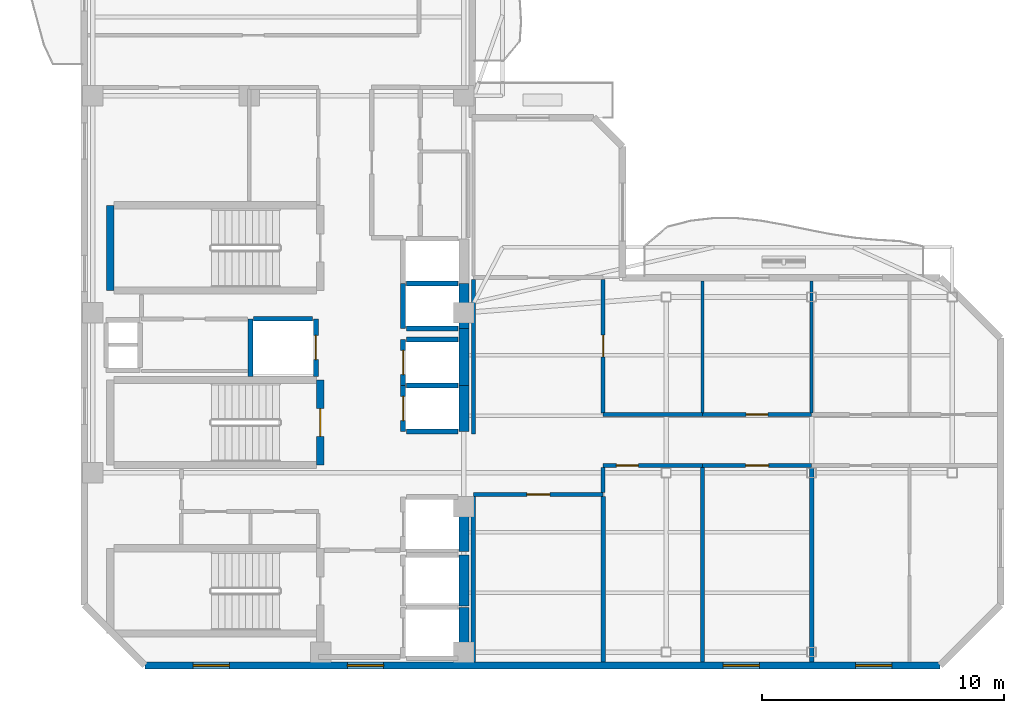
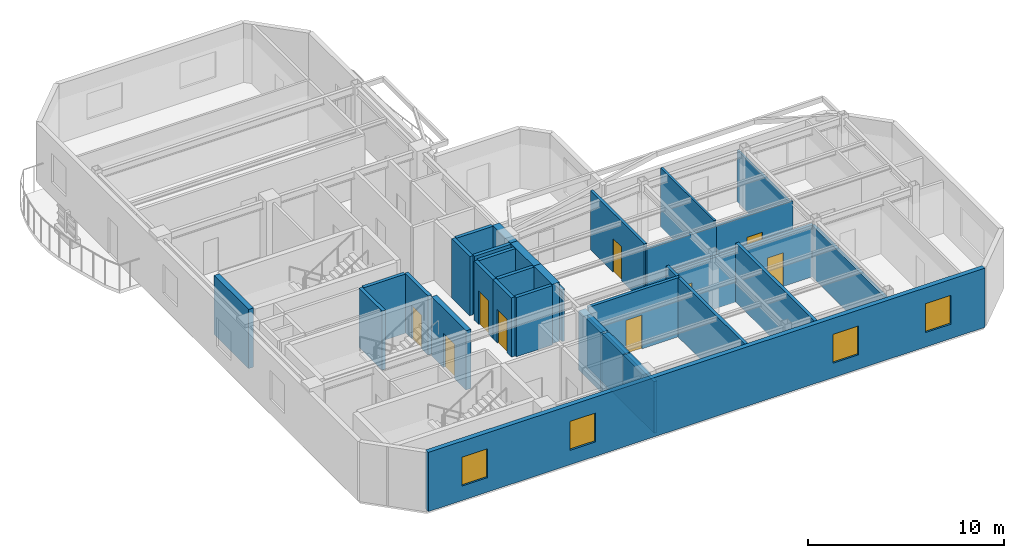
# One storey, part 3 of 8: 34 walls, 9 doors, 4 windows, 13 openings.
"""IFC4 building model written with IfcOpenShell, lengths in metres."""

from ifc_helpers import new_model, si_unit, direction, frame, frame_2d, origin, place, context, subcontext, project, spatial, rectangle, extrude, material, layer, layer_set, type_object, element, fill, save


model = new_model("IFC4")

# Units and contexts
model_context = context("Model", 3, precision=1e-05, world=origin(), true_north=direction((0.0, 1.0)))
body_context = subcontext(model_context, "Body", "Model", "MODEL_VIEW")
ifc_project = project(units=[si_unit("LENGTHUNIT", "METRE"), si_unit("AREAUNIT", "SQUARE_METRE"), si_unit("VOLUMEUNIT", "CUBIC_METRE"), si_unit("PLANEANGLEUNIT", "RADIAN"), si_unit("MASSUNIT", "GRAM", prefix="KILO")], contexts=[model_context])

# Site, building, storey
site_placement = place(None, origin())
site = spatial("IfcSite", under=ifc_project, at=site_placement, CompositionType="ELEMENT")
building_placement = place(site_placement, origin())
building = spatial("IfcBuilding", under=site, at=building_placement, Name="Mawjaban Terraces University", CompositionType="ELEMENT")
storey_placement = place(building_placement, frame((0.0, 0.0, 267.699951171875)))
storey = spatial("IfcBuildingStorey", under=building, at=storey_placement, Name="L65", CompositionType="ELEMENT", Elevation=267.699951171875)

# Wall, opening, door
ifc_material_1 = material(Name="Acoustic masonry blockwork", Category="masonry")
ifc_layer_1 = layer(ifc_material_1, 0.179931640625)
ifc_layer_set_1 = layer_set([ifc_layer_1], Name="Acoustic masonry blockwork")
wall_type_1 = type_object("IfcWallType", Name="AcousticStudioWall_180", PredefinedType="PARTITIONING", material=ifc_layer_set_1)
wall_1_placement = place(storey_placement, frame((38.050048828125, 7.050048828125, 0.0), z_axis=(0.0, 0.0, 1.0), x_axis=(1.0, 0.0, 0.0)))
wall_1 = element("IfcWall", 1, at=wall_1_placement, inside=storey, type_object=wall_type_1, Name="L65 Upper Research Hub Concourse Partition 15", PredefinedType="PARTITIONING", context=body_context, shape_type="SweptSolid", body=[
    extrude(rectangle(XDim=5.349853515625, YDim=0.179931640625, at=frame_2d((2.6748046875, 0.0))), origin(), (0.0, 0.0, 1.0), 3.68994140625),
])
opening_1_placement = place(wall_1_placement, frame((2.199951171875, 0.0, 0.0)))
opening_1 = element("IfcOpeningElement", 2, at=opening_1_placement, cuts=wall_1, Name="Opening ID-095", PredefinedType="OPENING", context=body_context, shape_type="SweptSolid", body=[
    extrude(rectangle(XDim=0.949951171875, YDim=2.10009765625, at=frame_2d((0.47509765625, 1.050048828125))), frame((0.0, 0.099853515625, 0.0), z_axis=(0.0, -1.0, 0.0), x_axis=(1.0, 0.0, 0.0)), (0.0, 0.0, 1.0), 0.199951171875),
])
ifc_material_2 = material(Name="Powder-coated steel frame and solid acoustic timber leaf", Category="steel")
door_type_1 = type_object("IfcDoorType", Name="StudioDoor_950x2100", OperationType="NOTDEFINED", PredefinedType="DOOR", material=ifc_material_2)
door_1_placement = place(opening_1_placement, origin())
door_1 = element("IfcDoor", 3, at=door_1_placement, inside=storey, type_object=door_type_1, Name="L65 Media Workshop 1 Door", OperationType="SINGLE_SWING_RIGHT", OverallHeight=2.10009765625, OverallWidth=0.949951171875, PredefinedType="DOOR", context=body_context, shape_type="SweptSolid", body=[
    extrude(rectangle(XDim=0.949951171875, YDim=2.10009765625, at=frame_2d((0.47509765625, 1.050048828125))), frame((0.0, 0.02490234375, 0.0), z_axis=(0.0, -1.0, 0.0), x_axis=(1.0, 0.0, 0.0)), (0.0, 0.0, 1.0), 0.050048828125),
])
fill(opening_1, door_1)

wall_2_placement = place(storey_placement, frame((47.5, 8.25, 0.0), z_axis=(0.0, 0.0, 1.0), x_axis=(1.0, 0.0, 0.0)))
wall_2 = element("IfcWall", 4, at=wall_2_placement, inside=storey, type_object=wall_type_1, Name="L65 Upper East Research Corridor Partition 18", PredefinedType="PARTITIONING", context=body_context, shape_type="SweptSolid", body=[
    extrude(rectangle(XDim=4.5, YDim=0.179931640625, at=frame_2d((2.25, 0.0))), origin(), (0.0, 0.0, 1.0), 3.22705078125),
])
opening_2_placement = place(wall_2_placement, frame((1.77490234375, 0.0, 0.0)))
opening_2 = element("IfcOpeningElement", 5, at=opening_2_placement, cuts=wall_2, Name="Opening ID-095", PredefinedType="OPENING", context=body_context, shape_type="SweptSolid", body=[
    extrude(rectangle(XDim=0.949951171875, YDim=2.10009765625, at=frame_2d((0.47509765625, 1.050048828125))), frame((0.0, 0.099853515625, 0.0), z_axis=(0.0, -1.0, 0.0), x_axis=(1.0, 0.0, 0.0)), (0.0, 0.0, 1.0), 0.199951171875),
])
door_2_placement = place(opening_2_placement, origin())
door_2 = element("IfcDoor", 6, at=door_2_placement, inside=storey, type_object=door_type_1, Name="L65 Media Workshop 4 Door", OperationType="SINGLE_SWING_LEFT", OverallHeight=2.10009765625, OverallWidth=0.949951171875, PredefinedType="DOOR", context=body_context, shape_type="SweptSolid", body=[
    extrude(rectangle(XDim=0.949951171875, YDim=2.10009765625, at=frame_2d((0.47509765625, 1.050048828125))), frame((0.0, 0.02490234375, 0.0), z_axis=(0.0, -1.0, 0.0), x_axis=(1.0, 0.0, 0.0)), (0.0, 0.0, 1.0), 0.050048828125),
])
fill(opening_2, door_2)

# Walls
wall_3_placement = place(storey_placement, frame((38.050048828125, 6.965087890625, 0.0), z_axis=(0.0, 0.0, 1.0), x_axis=(0.0, -1.0, 0.0)))
element("IfcWall", 7, at=wall_3_placement, inside=storey, type_object=wall_type_1, Name="L65 Media Workshop 1 Partition 38", PredefinedType="PARTITIONING", context=body_context, shape_type="SweptSolid", body=[
    extrude(rectangle(XDim=6.83203125, YDim=0.179931640625, at=frame_2d((3.416015625, 0.0))), origin(), (0.0, 0.0, 1.0), 3.22705078125),
])
wall_4_placement = place(storey_placement, frame((43.39990234375, 0.133056640625, 0.0), z_axis=(0.0, 0.0, 1.0), x_axis=(0.0, 1.0, 0.0)))
element("IfcWall", 8, at=wall_4_placement, inside=storey, type_object=wall_type_1, Name="L65 Media Workshop 1 Partition 41", PredefinedType="PARTITIONING", context=body_context, shape_type="SweptSolid", body=[
    extrude(rectangle(XDim=6.83203125, YDim=0.179931640625, at=frame_2d((3.416015625, 0.0))), origin(), (0.0, 0.0, 1.0), 3.68994140625),
])
wall_5_placement = place(storey_placement, frame((47.5, 0.133056640625, 0.0), z_axis=(0.0, 0.0, 1.0), x_axis=(0.0, 1.0, 0.0)))
element("IfcWall", 9, at=wall_5_placement, inside=storey, type_object=wall_type_1, Name="L65 Quiet Reading Room 2 Partition 44", PredefinedType="PARTITIONING", context=body_context, shape_type="SweptSolid", body=[
    extrude(rectangle(XDim=8.031982421875, YDim=0.179931640625, at=frame_2d((4.01611328125, 0.0))), origin(), (0.0, 0.0, 1.0), 3.68994140625),
])
wall_6_placement = place(storey_placement, frame((52.0, 0.133056640625, 0.0), z_axis=(0.0, 0.0, 1.0), x_axis=(0.0, 1.0, 0.0)))
element("IfcWall", 10, at=wall_6_placement, inside=storey, type_object=wall_type_1, Name="L65 Media Workshop 4 Partition 46", PredefinedType="PARTITIONING", context=body_context, shape_type="SweptSolid", body=[
    extrude(rectangle(XDim=8.031982421875, YDim=0.179931640625, at=frame_2d((4.01611328125, 0.0))), origin(), (0.0, 0.0, 1.0), 3.22705078125),
])
ifc_material_3 = material(Name="Concrete C50/60", Category="concrete")
ifc_layer_2 = layer(ifc_material_3, 0.419921875)
ifc_layer_set_2 = layer_set([ifc_layer_2], Name="Concrete C50/60")
wall_type_2 = type_object("IfcWallType", Name="CoreShearWall_420", PredefinedType="SHEAR", material=ifc_layer_set_2)
wall_7_placement = place(storey_placement, frame((37.659912109375, 0.300048828125, 0.0), z_axis=(0.0, 0.0, 1.0), x_axis=(0.0, 1.0, 0.0)))
element("IfcWall", 11, at=wall_7_placement, inside=storey, type_object=wall_type_2, Name="L65 Lift FL-1 Hoistway Wall East", PredefinedType="SHEAR", context=body_context, shape_type="SweptSolid", body=[
    extrude(rectangle(XDim=2.099853515625, YDim=0.419921875, at=frame_2d((1.0498046875, 0.0))), origin(), (0.0, 0.0, 1.0), 3.68994140625),
])
wall_8_placement = place(storey_placement, frame((37.659912109375, 2.449951171875, 0.0), z_axis=(0.0, 0.0, 1.0), x_axis=(0.0, 1.0, 0.0)))
element("IfcWall", 12, at=wall_8_placement, inside=storey, type_object=wall_type_2, Name="L65 Lift FL-2 Hoistway Wall East", PredefinedType="SHEAR", context=body_context, shape_type="SweptSolid", body=[
    extrude(rectangle(XDim=2.10009765625, YDim=0.419921875, at=frame_2d((1.050048828125, 0.0))), origin(), (0.0, 0.0, 1.0), 3.68994140625),
])
wall_9_placement = place(storey_placement, frame((37.659912109375, 4.699951171875, 0.0), z_axis=(0.0, 0.0, 1.0), x_axis=(0.0, 1.0, 0.0)))
element("IfcWall", 13, at=wall_9_placement, inside=storey, type_object=wall_type_2, Name="L65 Lift SL-1 Hoistway Wall East", PredefinedType="SHEAR", context=body_context, shape_type="SweptSolid", body=[
    extrude(rectangle(XDim=2.25, YDim=0.419921875, at=frame_2d((1.125, 0.0))), origin(), (0.0, 0.0, 1.0), 3.68994140625),
])
wall_10_placement = place(storey_placement, frame((37.659912109375, 9.64990234375, 0.0), z_axis=(0.0, 0.0, 1.0), x_axis=(0.0, 1.0, 0.0)))
element("IfcWall", 14, at=wall_10_placement, inside=storey, type_object=wall_type_2, Name="L65 Lift PL-H1 Hoistway Wall East", PredefinedType="SHEAR", context=body_context, shape_type="SweptSolid", body=[
    extrude(rectangle(XDim=1.900146484375, YDim=0.419921875, at=frame_2d((0.9501953125, 0.0))), origin(), (0.0, 0.0, 1.0), 3.68994140625),
])
wall_11_placement = place(storey_placement, frame((37.659912109375, 11.550048828125, 0.0), z_axis=(0.0, 0.0, 1.0), x_axis=(0.0, 1.0, 0.0)))
element("IfcWall", 15, at=wall_11_placement, inside=storey, type_object=wall_type_2, Name="L65 Lift PL-H2 Hoistway Wall East", PredefinedType="SHEAR", context=body_context, shape_type="SweptSolid", body=[
    extrude(rectangle(XDim=2.349853515625, YDim=0.419921875, at=frame_2d((1.1748046875, 0.0))), origin(), (0.0, 0.0, 1.0), 3.68994140625),
])
wall_12_placement = place(storey_placement, frame((37.659912109375, 13.89990234375, 0.0), z_axis=(0.0, 0.0, 1.0), x_axis=(0.0, 1.0, 0.0)))
element("IfcWall", 16, at=wall_12_placement, inside=storey, type_object=wall_type_2, Name="L65 Lift OL-1 Hoistway Wall East", PredefinedType="SHEAR", context=body_context, shape_type="SweptSolid", body=[
    extrude(rectangle(XDim=1.85009765625, YDim=0.419921875, at=frame_2d((0.925048828125, 0.0))), origin(), (0.0, 0.0, 1.0), 3.68994140625),
])

# Wall, opening, door
ifc_material_4 = material(Name="Fire-rated gypsum board on steel stud", Category="steel")
ifc_layer_3 = layer(ifc_material_4, 0.159912109375)
ifc_layer_set_3 = layer_set([ifc_layer_3], Name="Fire-rated gypsum board on steel stud")
wall_type_3 = type_object("IfcWallType", Name="CorridorPartition_160", PredefinedType="PARTITIONING", material=ifc_layer_set_3)
wall_13_placement = place(storey_placement, frame((43.39990234375, 8.25, 0.0), z_axis=(0.0, 0.0, 1.0), x_axis=(1.0, 0.0, 0.0)))
wall_13 = element("IfcWall", 17, at=wall_13_placement, inside=storey, type_object=wall_type_3, Name="L65 Upper East Research Corridor Partition 16", PredefinedType="PARTITIONING", context=body_context, shape_type="SweptSolid", body=[
    extrude(rectangle(XDim=4.10009765625, YDim=0.159912109375, at=frame_2d((2.050048828125, 0.0))), origin(), (0.0, 0.0, 1.0), 3.22705078125),
])
opening_3_placement = place(wall_13_placement, frame((0.550048828125, 0.0, 0.0)))
opening_3 = element("IfcOpeningElement", 18, at=opening_3_placement, cuts=wall_13, Name="Opening ID-090", PredefinedType="OPENING", context=body_context, shape_type="SweptSolid", body=[
    extrude(rectangle(XDim=0.89990234375, YDim=2.10009765625, at=frame_2d((0.449951171875, 1.050048828125))), frame((0.0, 0.08984375, 0.0), z_axis=(0.0, -1.0, 0.0), x_axis=(1.0, 0.0, 0.0)), (0.0, 0.0, 1.0), 0.179931640625),
])
door_type_2 = type_object("IfcDoorType", Name="OfficeDoor_900x2100", OperationType="NOTDEFINED", PredefinedType="DOOR", material=ifc_material_2)
door_3_placement = place(opening_3_placement, origin())
door_3 = element("IfcDoor", 19, at=door_3_placement, inside=storey, type_object=door_type_2, Name="L65 Quiet Reading Room 2 Door", OperationType="SINGLE_SWING_LEFT", OverallHeight=2.10009765625, OverallWidth=0.89990234375, PredefinedType="DOOR", context=body_context, shape_type="SweptSolid", body=[
    extrude(rectangle(XDim=0.89990234375, YDim=2.10009765625, at=frame_2d((0.449951171875, 1.050048828125))), frame((0.0, 0.02490234375, 0.0), z_axis=(0.0, -1.0, 0.0), x_axis=(1.0, 0.0, 0.0)), (0.0, 0.0, 1.0), 0.050048828125),
])
fill(opening_3, door_3)

# Wall
wall_14_placement = place(storey_placement, frame((47.5, 10.35009765625, 0.0), z_axis=(0.0, 0.0, 1.0), x_axis=(-1.0, 0.0, 0.0)))
element("IfcWall", 20, at=wall_14_placement, inside=storey, type_object=wall_type_3, Name="L65 Upper East Research Corridor Partition 19", PredefinedType="PARTITIONING", context=body_context, shape_type="SweptSolid", body=[
    extrude(rectangle(XDim=4.10009765625, YDim=0.159912109375, at=frame_2d((2.050048828125, 0.0))), origin(), (0.0, 0.0, 1.0), 3.424072265625),
])

# Wall, opening, door
wall_15_placement = place(storey_placement, frame((52.0, 10.35009765625, 0.0), z_axis=(0.0, 0.0, 1.0), x_axis=(-1.0, 0.0, 0.0)))
wall_15 = element("IfcWall", 21, at=wall_15_placement, inside=storey, type_object=wall_type_3, Name="L65 Upper East Research Corridor Partition 21", PredefinedType="PARTITIONING", context=body_context, shape_type="SweptSolid", body=[
    extrude(rectangle(XDim=4.5, YDim=0.159912109375, at=frame_2d((2.25, 0.0))), origin(), (0.0, 0.0, 1.0), 3.424072265625),
])
opening_4_placement = place(wall_15_placement, frame((1.800048828125, 0.0, 0.0)))
opening_4 = element("IfcOpeningElement", 22, at=opening_4_placement, cuts=wall_15, Name="Opening ID-090", PredefinedType="OPENING", context=body_context, shape_type="SweptSolid", body=[
    extrude(rectangle(XDim=0.89990234375, YDim=2.10009765625, at=frame_2d((0.449951171875, 1.050048828125))), frame((0.0, 0.08984375, 0.0), z_axis=(0.0, -1.0, 0.0), x_axis=(1.0, 0.0, 0.0)), (0.0, 0.0, 1.0), 0.179931640625),
])
door_4_placement = place(opening_4_placement, origin())
door_4 = element("IfcDoor", 23, at=door_4_placement, inside=storey, type_object=door_type_2, Name="L65 Quiet Reading Room 5 Door", OperationType="SINGLE_SWING_RIGHT", OverallHeight=2.10009765625, OverallWidth=0.89990234375, PredefinedType="DOOR", context=body_context, shape_type="SweptSolid", body=[
    extrude(rectangle(XDim=0.89990234375, YDim=2.10009765625, at=frame_2d((0.449951171875, 1.050048828125))), frame((0.0, 0.02490234375, 0.0), z_axis=(0.0, -1.0, 0.0), x_axis=(1.0, 0.0, 0.0)), (0.0, 0.0, 1.0), 0.050048828125),
])
fill(opening_4, door_4)

# Walls
wall_16_placement = place(storey_placement, frame((38.050048828125, 15.925048828125, 0.0), z_axis=(0.0, 0.0, 1.0), x_axis=(0.0, -1.0, 0.0)))
element("IfcWall", 24, at=wall_16_placement, inside=storey, type_object=wall_type_3, Name="L65 Upper Research Hub Concourse Partition 39", PredefinedType="PARTITIONING", context=body_context, shape_type="SweptSolid", body=[
    extrude(rectangle(XDim=6.375, YDim=0.159912109375, at=frame_2d((3.1875, 0.0))), origin(), (0.0, 0.0, 1.0), 3.22705078125),
])
wall_17_placement = place(storey_placement, frame((43.39990234375, 7.135009765625, 0.0), z_axis=(0.0, 0.0, 1.0), x_axis=(0.0, 1.0, 0.0)))
element("IfcWall", 25, at=wall_17_placement, inside=storey, type_object=wall_type_3, Name="L65 Upper Research Hub Concourse Partition 42", PredefinedType="PARTITIONING", context=body_context, shape_type="SweptSolid", body=[
    extrude(rectangle(XDim=1.0400390625, YDim=0.159912109375, at=frame_2d((0.52001953125, 0.0))), origin(), (0.0, 0.0, 1.0), 3.68994140625),
])

# Wall, opening, door
wall_18_placement = place(storey_placement, frame((43.39990234375, 10.425048828125, 0.0), z_axis=(0.0, 0.0, 1.0), x_axis=(0.0, 1.0, 0.0)))
wall_18 = element("IfcWall", 26, at=wall_18_placement, inside=storey, type_object=wall_type_3, Name="L65 Upper Research Hub Concourse Partition 43", PredefinedType="PARTITIONING", context=body_context, shape_type="SweptSolid", body=[
    extrude(rectangle(XDim=5.5, YDim=0.159912109375, at=frame_2d((2.75, 0.0))), origin(), (0.0, 0.0, 1.0), 3.68994140625),
])
opening_5_placement = place(wall_18_placement, frame((2.300048828125, 0.0, 0.0)))
opening_5 = element("IfcOpeningElement", 27, at=opening_5_placement, cuts=wall_18, Name="Opening ID-090", PredefinedType="OPENING", context=body_context, shape_type="SweptSolid", body=[
    extrude(rectangle(XDim=0.89990234375, YDim=2.10009765625, at=frame_2d((0.449951171875, 1.050048828125))), frame((0.0, 0.08984375, 0.0), z_axis=(0.0, -1.0, 0.0), x_axis=(1.0, 0.0, 0.0)), (0.0, 0.0, 1.0), 0.179931640625),
])
door_5_placement = place(opening_5_placement, origin())
door_5 = element("IfcDoor", 28, at=door_5_placement, inside=storey, type_object=door_type_2, Name="L65 Reading Salon 3 Door", OperationType="SINGLE_SWING_RIGHT", OverallHeight=2.10009765625, OverallWidth=0.89990234375, PredefinedType="DOOR", context=body_context, shape_type="SweptSolid", body=[
    extrude(rectangle(XDim=0.89990234375, YDim=2.10009765625, at=frame_2d((0.449951171875, 1.050048828125))), frame((0.0, 0.02490234375, 0.0), z_axis=(0.0, -1.0, 0.0), x_axis=(1.0, 0.0, 0.0)), (0.0, 0.0, 1.0), 0.050048828125),
])
fill(opening_5, door_5)

# Wall, openings, windows
ifc_material_5 = material(Name="Insulated terracotta rainscreen on concrete backup C40/50", Category="masonry")
ifc_layer_4 = layer(ifc_material_5, 0.27490234375)
ifc_layer_set_4 = layer_set([ifc_layer_4], Name="Insulated terracotta rainscreen on concrete backup C40/50")
wall_type_4 = type_object("IfcWallType", Name="ExtTerracottaWall_275", PredefinedType="SOLIDWALL", material=ifc_layer_set_4)
wall_19_placement = place(storey_placement, frame((24.5, 0.0, 0.0), z_axis=(0.0, 0.0, 1.0), x_axis=(1.0, 0.0, 0.0)))
wall_19 = element("IfcWall", 29, at=wall_19_placement, inside=storey, type_object=wall_type_4, Name="L65 Exterior Terracotta Wall 1", PredefinedType="SOLIDWALL", context=body_context, shape_type="SweptSolid", body=[
    extrude(rectangle(XDim=32.800048828125, YDim=0.27490234375, at=frame_2d((16.39990234375, 0.0))), origin(), (0.0, 0.0, 1.0), 3.68994140625),
])
opening_6_placement = place(wall_19_placement, frame((1.98291015625, 0.0, 0.89990234375)))
opening_6 = element("IfcOpeningElement", 30, at=opening_6_placement, cuts=wall_19, Name="Opening W-06", PredefinedType="OPENING", context=body_context, shape_type="SweptSolid", body=[
    extrude(rectangle(XDim=1.5, YDim=1.800048828125, at=frame_2d((0.75, 0.89990234375))), frame((0.0, 0.1474609375, 0.0), z_axis=(0.0, -1.0, 0.0), x_axis=(1.0, 0.0, 0.0)), (0.0, 0.0, 1.0), 0.294921875),
])
opening_7_placement = place(wall_19_placement, frame((8.35009765625, 0.0, 0.89990234375)))
opening_7 = element("IfcOpeningElement", 31, at=opening_7_placement, cuts=wall_19, Name="Opening W-06", PredefinedType="OPENING", context=body_context, shape_type="SweptSolid", body=[
    extrude(rectangle(XDim=1.5, YDim=1.800048828125, at=frame_2d((0.75, 0.89990234375))), frame((0.0, 0.1474609375, 0.0), z_axis=(0.0, -1.0, 0.0), x_axis=(1.0, 0.0, 0.0)), (0.0, 0.0, 1.0), 0.294921875),
])
opening_8_placement = place(wall_19_placement, frame((23.85009765625, 0.0, 0.89990234375)))
opening_8 = element("IfcOpeningElement", 32, at=opening_8_placement, cuts=wall_19, Name="Opening W-06", PredefinedType="OPENING", context=body_context, shape_type="SweptSolid", body=[
    extrude(rectangle(XDim=1.5, YDim=1.800048828125, at=frame_2d((0.75, 0.89990234375))), frame((0.0, 0.1474609375, 0.0), z_axis=(0.0, -1.0, 0.0), x_axis=(1.0, 0.0, 0.0)), (0.0, 0.0, 1.0), 0.294921875),
])
opening_9_placement = place(wall_19_placement, frame((29.31689453125, 0.0, 0.89990234375)))
opening_9 = element("IfcOpeningElement", 33, at=opening_9_placement, cuts=wall_19, Name="Opening W-06", PredefinedType="OPENING", context=body_context, shape_type="SweptSolid", body=[
    extrude(rectangle(XDim=1.5, YDim=1.800048828125, at=frame_2d((0.75, 0.89990234375))), frame((0.0, 0.1474609375, 0.0), z_axis=(0.0, -1.0, 0.0), x_axis=(1.0, 0.0, 0.0)), (0.0, 0.0, 1.0), 0.294921875),
])
ifc_material_6 = material(Name="Low-E solar-control double glazing in thermally broken aluminium frame", Category="aluminium")
window_type = type_object("IfcWindowType", Name="Win_1500x1800", PartitioningType="SINGLE_PANEL", PredefinedType="WINDOW", material=ifc_material_6)
window_1_placement = place(opening_6_placement, origin())
window_1 = element("IfcWindow", 34, at=window_1_placement, inside=storey, type_object=window_type, Name="L65 Facade Window 1.1", OverallHeight=1.800048828125, OverallWidth=1.5, PartitioningType="SINGLE_PANEL", PredefinedType="WINDOW", context=body_context, shape_type="SweptSolid", body=[
    extrude(rectangle(XDim=1.5, YDim=1.800048828125, at=frame_2d((0.75, 0.89990234375))), frame((0.0, 0.030029296875, 0.0), z_axis=(0.0, -1.0, 0.0), x_axis=(1.0, 0.0, 0.0)), (0.0, 0.0, 1.0), 0.06005859375),
])
fill(opening_6, window_1)
window_2_placement = place(opening_7_placement, origin())
window_2 = element("IfcWindow", 35, at=window_2_placement, inside=storey, type_object=window_type, Name="L65 Facade Window 1.2", OverallHeight=1.800048828125, OverallWidth=1.5, PartitioningType="SINGLE_PANEL", PredefinedType="WINDOW", context=body_context, shape_type="SweptSolid", body=[
    extrude(rectangle(XDim=1.5, YDim=1.800048828125, at=frame_2d((0.75, 0.89990234375))), frame((0.0, 0.030029296875, 0.0), z_axis=(0.0, -1.0, 0.0), x_axis=(1.0, 0.0, 0.0)), (0.0, 0.0, 1.0), 0.06005859375),
])
fill(opening_7, window_2)
window_3_placement = place(opening_8_placement, origin())
window_3 = element("IfcWindow", 36, at=window_3_placement, inside=storey, type_object=window_type, Name="L65 Facade Window 1.5", OverallHeight=1.800048828125, OverallWidth=1.5, PartitioningType="SINGLE_PANEL", PredefinedType="WINDOW", context=body_context, shape_type="SweptSolid", body=[
    extrude(rectangle(XDim=1.5, YDim=1.800048828125, at=frame_2d((0.75, 0.89990234375))), frame((0.0, 0.030029296875, 0.0), z_axis=(0.0, -1.0, 0.0), x_axis=(1.0, 0.0, 0.0)), (0.0, 0.0, 1.0), 0.06005859375),
])
fill(opening_8, window_3)
window_4_placement = place(opening_9_placement, origin())
window_4 = element("IfcWindow", 37, at=window_4_placement, inside=storey, type_object=window_type, Name="L65 Facade Window 1.6", OverallHeight=1.800048828125, OverallWidth=1.5, PartitioningType="SINGLE_PANEL", PredefinedType="WINDOW", context=body_context, shape_type="SweptSolid", body=[
    extrude(rectangle(XDim=1.5, YDim=1.800048828125, at=frame_2d((0.75, 0.89990234375))), frame((0.0, 0.030029296875, 0.0), z_axis=(0.0, -1.0, 0.0), x_axis=(1.0, 0.0, 0.0)), (0.0, 0.0, 1.0), 0.06005859375),
])
fill(opening_9, window_4)

# Wall, opening, door
ifc_material_7 = material(Name="Concrete C40/50", Category="concrete")
ifc_layer_5 = layer(ifc_material_7, 0.199951171875)
ifc_layer_set_5 = layer_set([ifc_layer_5], Name="Concrete C40/50")
wall_type_5 = type_object("IfcWallType", Name="FireLobbyWall_200", PredefinedType="SOLIDWALL", material=ifc_layer_set_5)
wall_20_placement = place(storey_placement, frame((35.14990234375, 11.550048828125, 0.0), z_axis=(0.0, 0.0, 1.0), x_axis=(0.0, -1.0, 0.0)))
wall_20 = element("IfcWall", 38, at=wall_20_placement, inside=storey, type_object=wall_type_5, Name="L65 Lift PL-H1 Hoistway Wall West", PredefinedType="SOLIDWALL", context=body_context, shape_type="SweptSolid", body=[
    extrude(rectangle(XDim=1.900146484375, YDim=0.199951171875, at=frame_2d((0.9501953125, 0.0))), origin(), (0.0, 0.0, 1.0), 3.68994140625),
])
opening_10_placement = place(wall_20_placement, frame((0.449951171875, 0.0, 0.0)))
opening_10 = element("IfcOpeningElement", 39, at=opening_10_placement, cuts=wall_20, Name="Opening LD-PL-H1", PredefinedType="OPENING", context=body_context, shape_type="SweptSolid", body=[
    extrude(rectangle(XDim=1.0, YDim=2.10009765625, at=frame_2d((0.5, 1.050048828125))), frame((0.0, 0.10986328125, 0.0), z_axis=(0.0, -1.0, 0.0), x_axis=(1.0, 0.0, 0.0)), (0.0, 0.0, 1.0), 0.219970703125),
])
ifc_material_8 = material(Name="Powder-coated steel frame and fire-rated steel-faced leaf", Category="steel")
door_type_3 = type_object("IfcDoorType", Name="LiftLandingSliding_1000x2100", OperationType="NOTDEFINED", PredefinedType="DOOR", material=ifc_material_8)
door_6_placement = place(opening_10_placement, origin())
door_6 = element("IfcDoor", 40, at=door_6_placement, inside=storey, type_object=door_type_3, Name="L65 Lift PL-H1 Sliding Landing Door", OperationType="DOUBLE_DOOR_SLIDING", OverallHeight=2.10009765625, OverallWidth=1.0, PredefinedType="DOOR", context=body_context, shape_type="SweptSolid", body=[
    extrude(rectangle(XDim=1.0, YDim=2.10009765625, at=frame_2d((0.5, 1.050048828125))), frame((0.0, 0.02490234375, 0.0), z_axis=(0.0, -1.0, 0.0), x_axis=(1.0, 0.0, 0.0)), (0.0, 0.0, 1.0), 0.050048828125),
])
fill(opening_10, door_6)

# Walls
for number, where, z_axis, x_axis, name in (
    (41, (35.280029296875, 9.64990234375, 0.0), (0.0, 0.0, 1.0), (1.0, 0.0, 0.0), "L65 Lift PL-H1 Hoistway Wall South"),
    (42, (37.419921875, 11.550048828125, 0.0), (0.0, 0.0, 1.0), (-1.0, 0.0, 0.0), "L65 Lift PL-H1 Hoistway Wall North"),
):
    element("IfcWall", number, at=place(storey_placement, frame(where, z_axis=z_axis, x_axis=x_axis)), inside=storey, type_object=wall_type_5, Name=name, PredefinedType="SOLIDWALL", context=body_context, shape_type="SweptSolid", body=[
        extrude(rectangle(XDim=2.139892578125, YDim=0.199951171875, at=frame_2d((1.06982421875, 0.0))), origin(), (0.0, 0.0, 1.0), 3.68994140625),
    ])

# Wall, opening, door
wall_21_placement = place(storey_placement, frame((35.14990234375, 13.449951171875, 0.0), z_axis=(0.0, 0.0, 1.0), x_axis=(0.0, -1.0, 0.0)))
wall_21 = element("IfcWall", 43, at=wall_21_placement, inside=storey, type_object=wall_type_5, Name="L65 Lift PL-H2 Hoistway Wall West", PredefinedType="SOLIDWALL", context=body_context, shape_type="SweptSolid", body=[
    extrude(rectangle(XDim=1.89990234375, YDim=0.199951171875, at=frame_2d((0.949951171875, 0.0))), origin(), (0.0, 0.0, 1.0), 3.68994140625),
])
opening_11_placement = place(wall_21_placement, frame((0.449951171875, 0.0, 0.0)))
opening_11 = element("IfcOpeningElement", 44, at=opening_11_placement, cuts=wall_21, Name="Opening LD-PL-H2", PredefinedType="OPENING", context=body_context, shape_type="SweptSolid", body=[
    extrude(rectangle(XDim=1.0, YDim=2.10009765625, at=frame_2d((0.5, 1.050048828125))), frame((0.0, 0.10986328125, 0.0), z_axis=(0.0, -1.0, 0.0), x_axis=(1.0, 0.0, 0.0)), (0.0, 0.0, 1.0), 0.219970703125),
])
door_7_placement = place(opening_11_placement, origin())
door_7 = element("IfcDoor", 45, at=door_7_placement, inside=storey, type_object=door_type_3, Name="L65 Lift PL-H2 Sliding Landing Door", OperationType="DOUBLE_DOOR_SLIDING", OverallHeight=2.10009765625, OverallWidth=1.0, PredefinedType="DOOR", context=body_context, shape_type="SweptSolid", body=[
    extrude(rectangle(XDim=1.0, YDim=2.10009765625, at=frame_2d((0.5, 1.050048828125))), frame((0.0, 0.02490234375, 0.0), z_axis=(0.0, -1.0, 0.0), x_axis=(1.0, 0.0, 0.0)), (0.0, 0.0, 1.0), 0.050048828125),
])
fill(opening_11, door_7)

# Walls
wall_22_placement = place(storey_placement, frame((37.419921875, 13.449951171875, 0.0), z_axis=(0.0, 0.0, 1.0), x_axis=(-1.0, 0.0, 0.0)))
element("IfcWall", 46, at=wall_22_placement, inside=storey, type_object=wall_type_5, Name="L65 Lift PL-H2 Hoistway Wall North", PredefinedType="SOLIDWALL", context=body_context, shape_type="SweptSolid", body=[
    extrude(rectangle(XDim=2.139892578125, YDim=0.199951171875, at=frame_2d((1.06982421875, 0.0))), origin(), (0.0, 0.0, 1.0), 3.68994140625),
])
wall_23_placement = place(storey_placement, frame((28.85009765625, 14.300048828125, 0.0), z_axis=(0.0, 0.0, 1.0), x_axis=(0.0, -1.0, 0.0)))
element("IfcWall", 47, at=wall_23_placement, inside=storey, type_object=wall_type_5, Name="L65 Lift PL-H3 Hoistway Wall West", PredefinedType="SOLIDWALL", context=body_context, shape_type="SweptSolid", body=[
    extrude(rectangle(XDim=2.3701171875, YDim=0.199951171875, at=frame_2d((1.18505859375, 0.0))), origin(), (0.0, 0.0, 1.0), 3.68994140625),
])

# Wall, opening, door
wall_24_placement = place(storey_placement, frame((31.550048828125, 11.929931640625, 0.0), z_axis=(0.0, 0.0, 1.0), x_axis=(0.0, 1.0, 0.0)))
wall_24 = element("IfcWall", 48, at=wall_24_placement, inside=storey, type_object=wall_type_5, Name="L65 Lift PL-H3 Hoistway Wall East", PredefinedType="SOLIDWALL", context=body_context, shape_type="SweptSolid", body=[
    extrude(rectangle(XDim=2.3701171875, YDim=0.199951171875, at=frame_2d((1.18505859375, 0.0))), origin(), (0.0, 0.0, 1.0), 3.68994140625),
])
opening_12_placement = place(wall_24_placement, frame((0.68505859375, 0.0, 0.0)))
opening_12 = element("IfcOpeningElement", 49, at=opening_12_placement, cuts=wall_24, Name="Opening LD-PL-H3", PredefinedType="OPENING", context=body_context, shape_type="SweptSolid", body=[
    extrude(rectangle(XDim=1.0, YDim=2.10009765625, at=frame_2d((0.5, 1.050048828125))), frame((0.0, 0.10986328125, 0.0), z_axis=(0.0, -1.0, 0.0), x_axis=(1.0, 0.0, 0.0)), (0.0, 0.0, 1.0), 0.219970703125),
])
door_8_placement = place(opening_12_placement, origin())
door_8 = element("IfcDoor", 50, at=door_8_placement, inside=storey, type_object=door_type_3, Name="L65 Lift PL-H3 Sliding Landing Door", OperationType="DOUBLE_DOOR_SLIDING", OverallHeight=2.10009765625, OverallWidth=1.0, PredefinedType="DOOR", context=body_context, shape_type="SweptSolid", body=[
    extrude(rectangle(XDim=1.0, YDim=2.10009765625, at=frame_2d((0.5, 1.050048828125))), frame((0.0, 0.02490234375, 0.0), z_axis=(0.0, -1.0, 0.0), x_axis=(1.0, 0.0, 0.0)), (0.0, 0.0, 1.0), 0.050048828125),
])
fill(opening_12, door_8)

# Walls
wall_25_placement = place(storey_placement, frame((31.419921875, 14.300048828125, 0.0), z_axis=(0.0, 0.0, 1.0), x_axis=(-1.0, 0.0, 0.0)))
element("IfcWall", 51, at=wall_25_placement, inside=storey, type_object=wall_type_5, Name="L65 Lift PL-H3 Hoistway Wall North", PredefinedType="SOLIDWALL", context=body_context, shape_type="SweptSolid", body=[
    extrude(rectangle(XDim=2.43994140625, YDim=0.199951171875, at=frame_2d((1.219970703125, 0.0))), origin(), (0.0, 0.0, 1.0), 3.68994140625),
])
wall_26_placement = place(storey_placement, frame((35.14990234375, 15.75, 0.0), z_axis=(0.0, 0.0, 1.0), x_axis=(0.0, -1.0, 0.0)))
element("IfcWall", 52, at=wall_26_placement, inside=storey, type_object=wall_type_5, Name="L65 Lift OL-1 Hoistway Wall West", PredefinedType="SOLIDWALL", context=body_context, shape_type="SweptSolid", body=[
    extrude(rectangle(XDim=1.85009765625, YDim=0.199951171875, at=frame_2d((0.925048828125, 0.0))), origin(), (0.0, 0.0, 1.0), 3.68994140625),
])
for number, where, z_axis, x_axis, name in (
    (53, (35.280029296875, 13.89990234375, 0.0), (0.0, 0.0, 1.0), (1.0, 0.0, 0.0), "L65 Lift OL-1 Hoistway Wall South"),
    (54, (37.419921875, 15.75, 0.0), (0.0, 0.0, 1.0), (-1.0, 0.0, 0.0), "L65 Lift OL-1 Hoistway Wall North"),
):
    element("IfcWall", number, at=place(storey_placement, frame(where, z_axis=z_axis, x_axis=x_axis)), inside=storey, type_object=wall_type_5, Name=name, PredefinedType="SOLIDWALL", context=body_context, shape_type="SweptSolid", body=[
        extrude(rectangle(XDim=2.139892578125, YDim=0.199951171875, at=frame_2d((1.06982421875, 0.0))), origin(), (0.0, 0.0, 1.0), 3.68994140625),
    ])
ifc_material_9 = material(Name="Gypsum plasterboard on steel stud", Category="steel")
ifc_layer_6 = layer(ifc_material_9, 0.125)
ifc_layer_set_6 = layer_set([ifc_layer_6], Name="Gypsum plasterboard on steel stud")
wall_type_6 = type_object("IfcWallType", Name="OfficePartition_125", PredefinedType="PARTITIONING", material=ifc_layer_set_6)
wall_27_placement = place(storey_placement, frame((47.5, 10.425048828125, 0.0), z_axis=(0.0, 0.0, 1.0), x_axis=(0.0, 1.0, 0.0)))
element("IfcWall", 55, at=wall_27_placement, inside=storey, type_object=wall_type_6, Name="L65 Reading Salon 3 Partition 45", PredefinedType="PARTITIONING", context=body_context, shape_type="SweptSolid", body=[
    extrude(rectangle(XDim=5.44189453125, YDim=0.125, at=frame_2d((2.720947265625, 0.0))), origin(), (0.0, 0.0, 1.0), 3.68994140625),
])
wall_28_placement = place(storey_placement, frame((52.0, 10.425048828125, 0.0), z_axis=(0.0, 0.0, 1.0), x_axis=(0.0, 1.0, 0.0)))
element("IfcWall", 56, at=wall_28_placement, inside=storey, type_object=wall_type_6, Name="L65 Quiet Reading Room 5 Partition 47", PredefinedType="PARTITIONING", context=body_context, shape_type="SweptSolid", body=[
    extrude(rectangle(XDim=5.44189453125, YDim=0.125, at=frame_2d((2.720947265625, 0.0))), origin(), (0.0, 0.0, 1.0), 3.22705078125),
])
ifc_material_10 = material(Name="Concrete C60/75", Category="concrete")
ifc_layer_7 = layer(ifc_material_10, 0.300048828125)
ifc_layer_set_7 = layer_set([ifc_layer_7], Name="Concrete C60/75")
wall_type_7 = type_object("IfcWallType", Name="StairShaftWall_300", PredefinedType="SHEAR", material=ifc_layer_set_7)
wall_29_placement = place(storey_placement, frame((23.070068359375, 18.97998046875, 0.0), z_axis=(0.0, 0.0, 1.0), x_axis=(0.0, -1.0, 0.0)))
element("IfcWall", 57, at=wall_29_placement, inside=storey, type_object=wall_type_7, Name="L65 ST-2 Stair Shaft Wall 2", PredefinedType="SHEAR", context=body_context, shape_type="SweptSolid", body=[
    extrude(rectangle(XDim=3.510009765625, YDim=0.300048828125, at=frame_2d((1.7548828125, 0.0))), origin(), (0.0, 0.0, 1.0), 3.68994140625),
])

# Wall, opening, door
wall_30_placement = place(storey_placement, frame((31.72998046875, 8.27001953125, 0.0), z_axis=(0.0, 0.0, 1.0), x_axis=(0.0, 1.0, 0.0)))
wall_30 = element("IfcWall", 58, at=wall_30_placement, inside=storey, type_object=wall_type_7, Name="L65 ST-3 Stair Shaft Wall 4", PredefinedType="SHEAR", context=body_context, shape_type="SweptSolid", body=[
    extrude(rectangle(XDim=3.510009765625, YDim=0.300048828125, at=frame_2d((1.7548828125, 0.0))), origin(), (0.0, 0.0, 1.0), 3.68994140625),
])
opening_13_placement = place(wall_30_placement, frame((1.179931640625, 0.0, 0.0)))
opening_13 = element("IfcOpeningElement", 59, at=opening_13_placement, cuts=wall_30, Name="Opening FD-115", PredefinedType="OPENING", context=body_context, shape_type="SweptSolid", body=[
    extrude(rectangle(XDim=1.14990234375, YDim=2.14990234375, at=frame_2d((0.574951171875, 1.074951171875))), frame((0.0, 0.159912109375, 0.0), z_axis=(0.0, -1.0, 0.0), x_axis=(1.0, 0.0, 0.0)), (0.0, 0.0, 1.0), 0.320068359375),
])
door_type_4 = type_object("IfcDoorType", Name="FireStairDoor_1150x2150", OperationType="NOTDEFINED", PredefinedType="DOOR", material=ifc_material_8)
door_9_placement = place(opening_13_placement, origin())
door_9 = element("IfcDoor", 60, at=door_9_placement, inside=storey, type_object=door_type_4, Name="L65 ST-3 Pressurised Stair Fire Door", OperationType="SINGLE_SWING_LEFT", OverallHeight=2.14990234375, OverallWidth=1.14990234375, PredefinedType="DOOR", context=body_context, shape_type="SweptSolid", body=[
    extrude(rectangle(XDim=1.14990234375, YDim=2.14990234375, at=frame_2d((0.574951171875, 1.074951171875))), frame((0.0, 0.02490234375, 0.0), z_axis=(0.0, -1.0, 0.0), x_axis=(1.0, 0.0, 0.0)), (0.0, 0.0, 1.0), 0.050048828125),
])
fill(opening_13, door_9)

save(model, "model.ifc")
